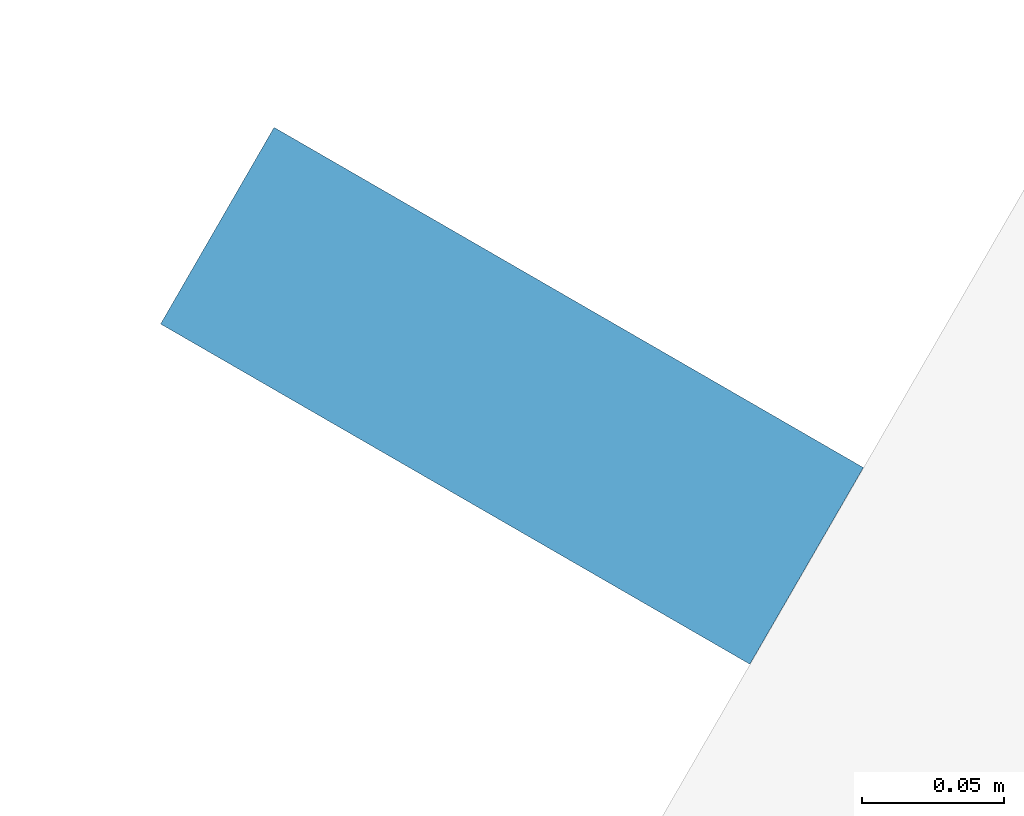
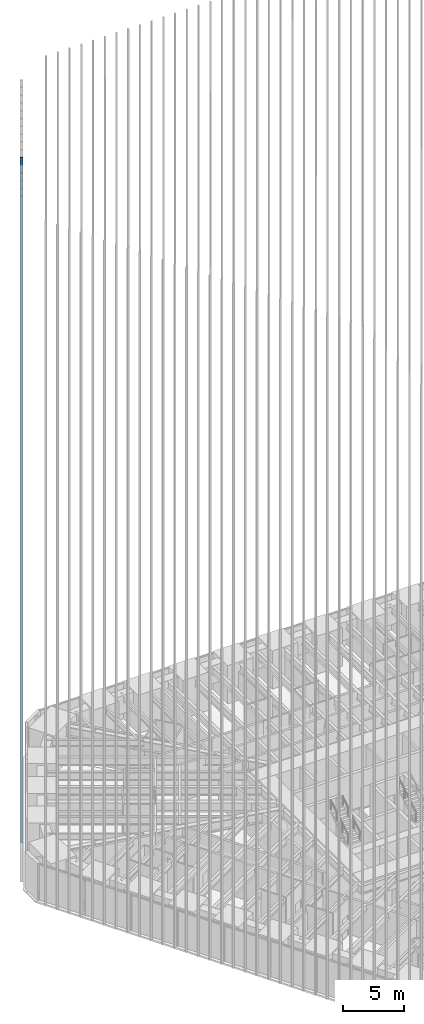
# One storey, part 143 of 256: 1 member, 1 element without a shape of its own.
"""IFC4 building model written with IfcOpenShell, lengths in metres."""

from ifc_helpers import new_model, si_unit, direction, frame, origin, origin_2d, place, context, subcontext, project, spatial, rectangle, extrude, material, material_profile, profile_set, type_object, element, aggregate, save


model = new_model("IFC4")

# Units and contexts
model_context = context("Model", 3, precision=1e-05, world=origin(), true_north=direction((0.0, 1.0)))
body_context = subcontext(model_context, "Body", "Model", "MODEL_VIEW")
ifc_project = project(units=[si_unit("LENGTHUNIT", "METRE"), si_unit("AREAUNIT", "SQUARE_METRE"), si_unit("VOLUMEUNIT", "CUBIC_METRE"), si_unit("PLANEANGLEUNIT", "RADIAN"), si_unit("MASSUNIT", "GRAM", prefix="KILO")], contexts=[model_context])

# Site, building, storey
site_placement = place(None, origin())
site = spatial("IfcSite", under=ifc_project, at=site_placement, CompositionType="ELEMENT")
building_placement = place(site_placement, origin())
building = spatial("IfcBuilding", under=site, at=building_placement, Name="Sandreach Pilgrim Tower", CompositionType="ELEMENT")
storey_placement = place(building_placement, frame((0.0, 0.0, 23.0)))
storey = spatial("IfcBuildingStorey", under=building, at=storey_placement, Name="L04", CompositionType="ELEMENT", Elevation=23.0)

# Curtain wall, member
ifc_material_1 = material(Name="Aluminium framed curtain wall", Category="aluminium")
curtain_wall_type = type_object("IfcCurtainWallType", Name="Hostel tower curtain wall", PredefinedType="NOTDEFINED", material=ifc_material_1)
curtain_wall_placement = place(storey_placement, origin())
curtain_wall = element("IfcCurtainWall", 1, at=curtain_wall_placement, inside=storey, type_object=curtain_wall_type, Name="CW-1 L04 NW", PredefinedType="NOTDEFINED")
ifc_material_2 = material(Name="Extruded terracotta on aluminium core", Category="masonry")
ifc_material_profile = material_profile(ifc_material_2, rectangle(XDim=0.080078125, YDim=0.239990234375, at=origin_2d()), Name="TBW 80X240")
ifc_profile_set = profile_set([ifc_material_profile], Name="Extruded terracotta on aluminium core")
member_type = type_object("IfcMemberType", Name="Terracotta baguette west", PredefinedType="USERDEFINED", material=ifc_profile_set)
member_placement = place(storey_placement, frame((-27.738525390625, 12.8173828125, 0.0), z_axis=(0.0, 0.0, 1.0), x_axis=(0.5, 0.866025403784, 0.0)))
member = element("IfcMember", 2, at=member_placement, type_object=member_type, Name="Baguette Z1 NW06", ObjectType="BAGUETTE", PredefinedType="USERDEFINED", context=body_context, shape_type="SweptSolid", body=[
    extrude(rectangle(XDim=0.080078125, YDim=0.239990234375, at=origin_2d()), origin(), (0.0, 0.0, 1.0), 68.239990234375),
])
aggregate(curtain_wall, [member])

save(model, "model.ifc")
